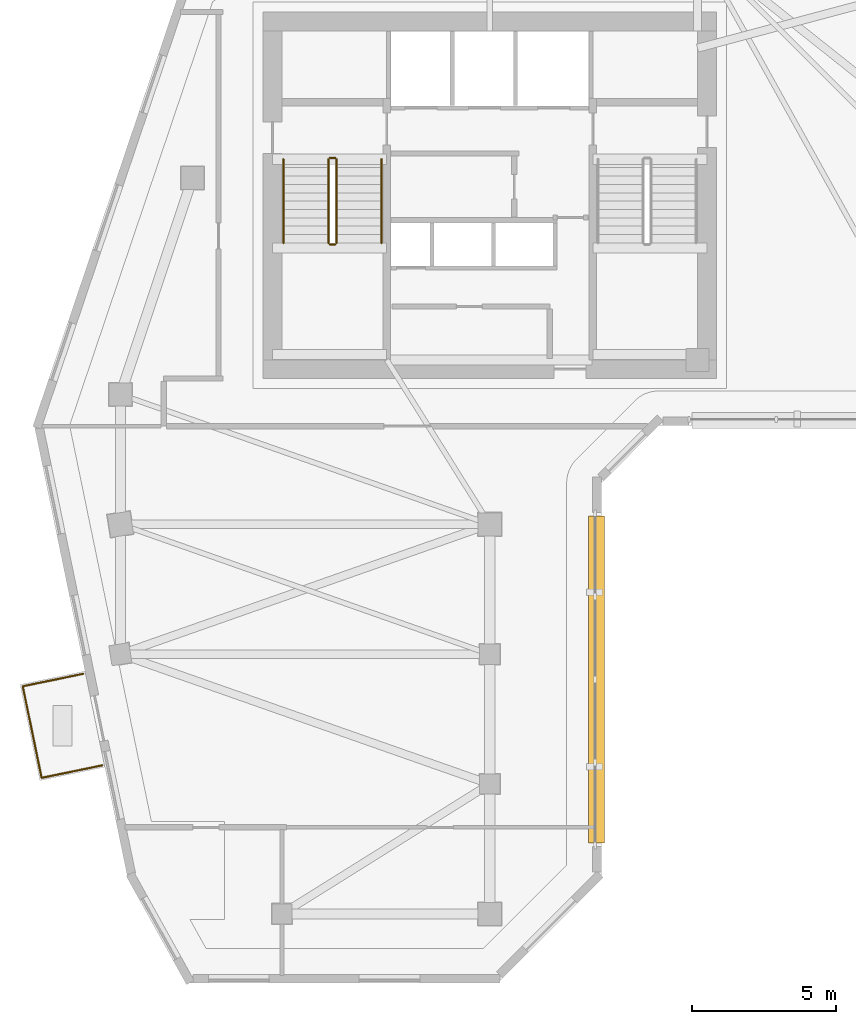
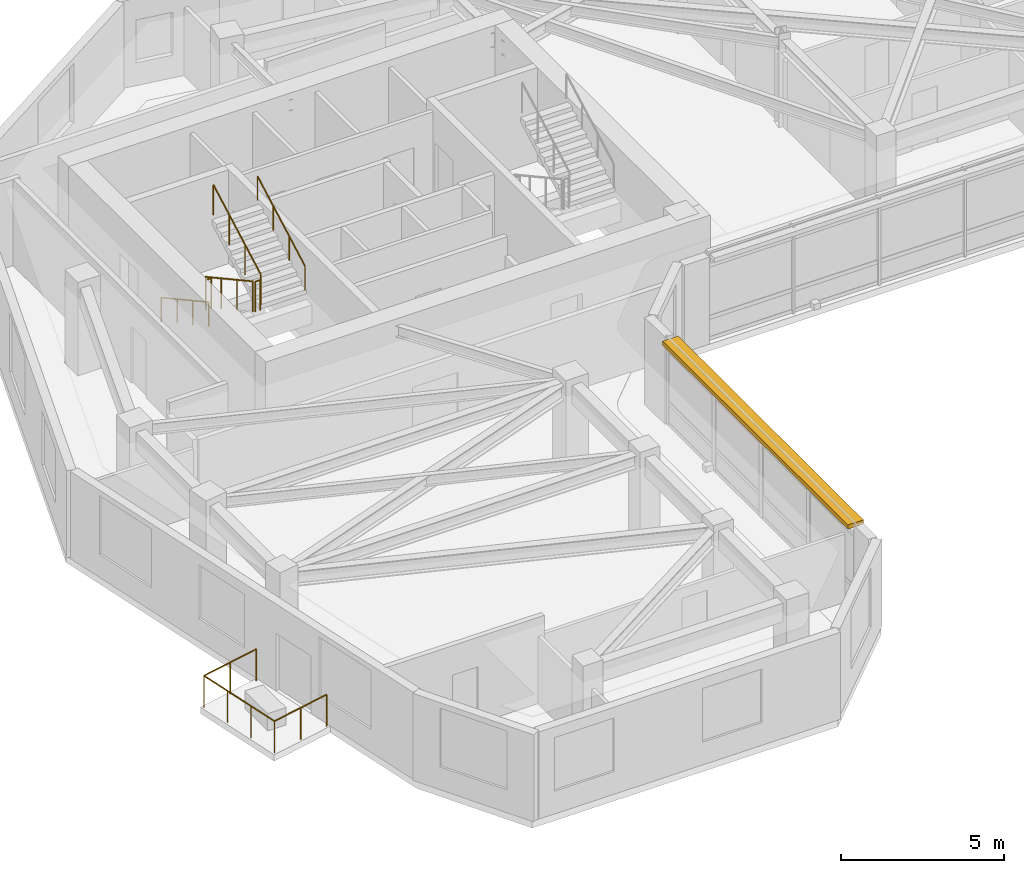
# One storey, part 8 of 10: 9 railings, 1 shading device.
"""IFC4 building model written with IfcOpenShell, lengths in metres."""

import ifcopenshell
import ifcopenshell.guid

model = None  # the IFC model being written
_history = None  # IfcOwnerHistory: only IFC2X3 demands one
_inside = {}  # id of a spatial element -> (the spatial element, [elements in it])
_under = {}  # id of a project, library or spatial element -> (it, [spatial elements below it])
_declared = {}  # id of a project -> (the project, [libraries it declares])
_typed = {}  # id of a type object -> (the type object, [elements of that type])
_made_of = {}  # id of a material, layer set ... -> (it, [elements and type objects made of it])


def new_model(schema):
    """Start an empty IFC model of exactly this schema.

    Asked for "IFC4X3", IfcOpenShell would pick the latest addendum, in which some entities
    have other attributes; the version numbers below select the first issue.
    IFC2X3 requires an IfcOwnerHistory on every rooted entity: one is made here for all.
    """
    global model, _history
    if schema == "IFC4X3":
        model = ifcopenshell.file(schema_version=(4, 3, 0, 0))
    else:
        model = ifcopenshell.file(schema=schema)
    _inside.clear()
    _under.clear()
    _declared.clear()
    _typed.clear()
    _made_of.clear()
    _history = None
    if model.schema == "IFC2X3":
        org = make("IfcOrganization", Name="unknown")
        user = make(
            "IfcPersonAndOrganization",
            ThePerson=make("IfcPerson", FamilyName="unknown"),
            TheOrganization=org,
        )
        app = make(
            "IfcApplication",
            ApplicationDeveloper=org,
            Version="unknown",
            ApplicationFullName="unknown",
            ApplicationIdentifier="unknown",
        )
        _history = make(
            "IfcOwnerHistory",
            OwningUser=user,
            OwningApplication=app,
            ChangeAction="ADDED",
            CreationDate=0,
        )
    return model


def make(cls, **values):
    """One entity of the class cls with the attributes given. An attribute that is None is left unset."""
    return model.create_entity(
        cls, **{name: value for name, value in values.items() if value is not None}
    )


def rooted(cls, **values):
    """An entity with a GlobalId (a new one), such as an element, a storey or a relation."""
    return make(cls, GlobalId=ifcopenshell.guid.new(), OwnerHistory=_history, **values)


def si_unit(unit_type, name, prefix=None):
    """IfcSIUnit, for example si_unit("LENGTHUNIT", "METRE", prefix="MILLI")."""
    return make("IfcSIUnit", UnitType=unit_type, Prefix=prefix, Name=name)


def assignment(units):
    """IfcUnitAssignment: the units of a project."""
    return None if units is None else make("IfcUnitAssignment", Units=units)


def point(xyz):
    """IfcCartesianPoint."""
    return None if xyz is None else make("IfcCartesianPoint", Coordinates=xyz)


def direction(xyz):
    """IfcDirection."""
    return None if xyz is None else make("IfcDirection", DirectionRatios=xyz)


def frame(location, z_axis=None, x_axis=None):
    """IfcAxis2Placement3D, a coordinate frame: its origin and axes. An axis left out is left unset."""
    return make(
        "IfcAxis2Placement3D",
        Location=point(location),
        Axis=direction(z_axis),
        RefDirection=direction(x_axis),
    )


def frame_2d(location, x_axis=None):
    """IfcAxis2Placement2D, a coordinate frame in the plane: its origin and x axis."""
    return make(
        "IfcAxis2Placement2D", Location=point(location), RefDirection=direction(x_axis)
    )


def origin():
    """The frame at (0, 0, 0) with its axes left unset."""
    return frame((0.0, 0.0, 0.0))


def origin_2d():
    """The frame at (0, 0) in the plane with its x axis left unset."""
    return frame_2d((0.0, 0.0))


def place(relative_to, where):
    """IfcLocalPlacement: puts the frame where relative to a parent placement (None: the world)."""
    return make(
        "IfcLocalPlacement", PlacementRelTo=relative_to, RelativePlacement=where
    )


def context(
    kind, dimensions, precision=None, world=None, true_north=None, identifier=None
):
    """IfcGeometricRepresentationContext, for example the 3D "Model" context."""
    return make(
        "IfcGeometricRepresentationContext",
        ContextIdentifier=identifier,
        ContextType=kind,
        CoordinateSpaceDimension=dimensions,
        Precision=precision,
        WorldCoordinateSystem=world,
        TrueNorth=true_north,
    )


def subcontext(parent, identifier, kind, view, scale=None):
    """IfcGeometricRepresentationSubContext, for example "Body" below "Model"."""
    return make(
        "IfcGeometricRepresentationSubContext",
        ContextIdentifier=identifier,
        ContextType=kind,
        ParentContext=parent,
        TargetScale=scale,
        TargetView=view,
    )


def project(units=None, contexts=None):
    """IfcProject with its units and contexts."""
    return rooted(
        "IfcProject",
        Name="project",
        RepresentationContexts=contexts,
        UnitsInContext=assignment(units),
    )


def spatial(cls, under=None, at=None, **own):
    """A site, building, storey or space (cls), placed at a placement, below another one or the project."""
    s = rooted(cls, ObjectPlacement=at, **own)
    if under is not None:
        _under.setdefault(under.id(), (under, []))[1].append(s)
    return s


def profile(cls, at=None, kind="AREA", **sizes):
    """A parametric profile (cls). Its sizes go by their IFC names, for example OverallWidth=200.0."""
    return make(cls, ProfileType=kind, Position=at, **sizes)


def rectangle(**sizes):
    """IfcRectangleProfileDef."""
    return profile("IfcRectangleProfileDef", **sizes)


def circle(**sizes):
    """IfcCircleProfileDef."""
    return profile("IfcCircleProfileDef", **sizes)


def extrude(swept, where, along, depth):
    """IfcExtrudedAreaSolid: the profile swept, set in the frame where, extruded along a direction by depth."""
    return make(
        "IfcExtrudedAreaSolid",
        SweptArea=swept,
        Position=where,
        ExtrudedDirection=direction(along),
        Depth=depth,
    )


def shape(context_of_items, identifier, shape_type, items):
    """IfcShapeRepresentation: the items that make up one representation, for example the "Body"."""
    return make(
        "IfcShapeRepresentation",
        ContextOfItems=context_of_items,
        RepresentationIdentifier=identifier,
        RepresentationType=shape_type,
        Items=items,
    )


def material(Name=None, Category=None):
    """IfcMaterial."""
    return make("IfcMaterial", Name=Name, Category=Category)


def made_of(thing, what):
    """Note that an element or type object is made of a material, layer set ...; save() writes the relation."""
    if what is not None:
        _made_of.setdefault(what.id(), (what, []))[1].append(thing)
    return thing


def type_object(cls, material=None, **own):
    """A type object (cls), such as IfcWallType, which elements share."""
    return made_of(rooted(cls, **own), material)


def element(
    cls,
    number,
    at=None,
    inside=None,
    cuts=None,
    type_object=None,
    material=None,
    context=None,
    identifier="Body",
    shape_type=None,
    held_by="IfcProductDefinitionShape",
    body=None,
    shapes=None,
    **own,
):
    """One element of the class cls, such as IfcWall. Its Tag is "e" and its number.

    at: its placement. inside: the storey or other place that contains it. cuts: it is an
    opening in that element (IfcRelVoidsElement). A single representation is given by context,
    identifier, shape_type and body (its items); several are given by shapes. held_by: the class
    of the entity that holds the representations. save() writes the other relations.
    """
    e = rooted(cls, Tag="e%d" % number, ObjectPlacement=at, **own)
    if body is not None:
        shapes = [shape(context, identifier, shape_type, body)]
    if shapes is not None:
        e.Representation = make(held_by, Representations=shapes)
    if inside is not None:
        _inside.setdefault(inside.id(), (inside, []))[1].append(e)
    if cuts is not None:
        rooted(
            "IfcRelVoidsElement", RelatingBuildingElement=cuts, RelatedOpeningElement=e
        )
    if type_object is not None:
        _typed.setdefault(type_object.id(), (type_object, []))[1].append(e)
    return made_of(e, material)


def aggregate(whole, parts):
    """IfcRelAggregates: a whole, such as a stair, and the parts it consists of."""
    return rooted("IfcRelAggregates", RelatingObject=whole, RelatedObjects=parts)


def save(model, path):
    """Write the relations noted so far, then the file.

    IfcRelAggregates (storeys below a building ...), IfcRelContainedInSpatialStructure (elements
    in a storey), IfcRelDefinesByType, IfcRelAssociatesMaterial and IfcRelDeclares: one each for
    every whole, place, type object, material and project.
    """
    for whole, parts in _under.values():
        aggregate(whole, parts)
    for where, things in _inside.values():
        rooted(
            "IfcRelContainedInSpatialStructure",
            RelatedElements=things,
            RelatingStructure=where,
        )
    for kind, things in _typed.values():
        rooted("IfcRelDefinesByType", RelatedObjects=things, RelatingType=kind)
    for what, things in _made_of.values():
        rooted("IfcRelAssociatesMaterial", RelatedObjects=things, RelatingMaterial=what)
    for by, libraries in _declared.values():
        rooted("IfcRelDeclares", RelatingContext=by, RelatedDefinitions=libraries)
    model.write(path)


model = new_model("IFC4")

# Units and contexts
model_context = context("Model", 3, precision=1e-05, world=origin(), true_north=direction((0.0, 1.0)))
body_context = subcontext(model_context, "Body", "Model", "MODEL_VIEW")
ifc_project = project(units=[si_unit("LENGTHUNIT", "METRE"), si_unit("AREAUNIT", "SQUARE_METRE"), si_unit("VOLUMEUNIT", "CUBIC_METRE"), si_unit("PLANEANGLEUNIT", "RADIAN"), si_unit("MASSUNIT", "GRAM", prefix="KILO")], contexts=[model_context])

# Site, building, storey
site_placement = place(None, origin())
site = spatial("IfcSite", under=ifc_project, at=site_placement, CompositionType="ELEMENT")
building_placement = place(site_placement, origin())
building = spatial("IfcBuilding", under=site, at=building_placement, Name="Calvemar Wedge Station Tower", CompositionType="ELEMENT")
storey_placement = place(building_placement, frame((0.0, 0.0, 204.39990234375)))
storey = spatial("IfcBuildingStorey", under=building, at=storey_placement, Name="L51", CompositionType="ELEMENT", Elevation=204.39990234375)

# Railings
ifc_material_1 = material(Name="Stainless steel AISI 316L", Category="steel")
railing_type_1 = type_object("IfcRailingType", Name="GRD-TERR-1200", PredefinedType="GUARDRAIL", material=ifc_material_1)
railing_1_placement = place(storey_placement, frame((10.366455078125, 20.147216796875, 0.0)))
element("IfcRailing", 1, at=railing_1_placement, inside=storey, type_object=railing_type_1, Name="Storey L51 Spiral Terrace Guard 2", PredefinedType="GUARDRAIL", context=body_context, shape_type="SweptSolid", body=[
    extrude(circle(Radius=0.02392578125, at=origin_2d()), frame((0.0, 0.0, 1.17578125), z_axis=(-0.979341536127, -0.202213144024, 0.0), x_axis=(0.202213144024, -0.979341536127, 0.0)), (0.0, 0.0, 1.0), 2.139404296875),
    extrude(circle(Radius=0.02099609375, at=origin_2d()), origin(), (0.0, 0.0, 1.0), 1.15185546875),
    extrude(circle(Radius=0.02099609375, at=origin_2d()), frame((-1.047607421875, -0.21630859375, 0.0)), (0.0, 0.0, 1.0), 1.15185546875),
    extrude(circle(Radius=0.02099609375, at=origin_2d()), frame((-2.09521484375, -0.4326171875, 0.0)), (0.0, 0.0, 1.0), 1.15185546875),
])
railing_2_placement = place(storey_placement, frame((8.271240234375, 19.714599609375, 0.0)))
element("IfcRailing", 2, at=railing_2_placement, inside=storey, type_object=railing_type_1, Name="Storey L51 Spiral Terrace Guard 3", PredefinedType="GUARDRAIL", context=body_context, shape_type="SweptSolid", body=[
    extrude(circle(Radius=0.02392578125, at=origin_2d()), frame((0.0, 0.0, 1.17578125), z_axis=(-0.202097264891, 0.97936545555, 0.0), x_axis=(-0.97936545555, -0.202097264891, 0.0)), (0.0, 0.0, 1.0), 3.239990234375),
    extrude(circle(Radius=0.02099609375, at=origin_2d()), origin(), (0.0, 0.0, 1.0), 1.15185546875),
    extrude(circle(Radius=0.02099609375, at=origin_2d()), frame((-0.21826171875, 1.0576171875, 0.0)), (0.0, 0.0, 1.0), 1.15185546875),
    extrude(circle(Radius=0.02099609375, at=origin_2d()), frame((-0.4365234375, 2.115478515625, 0.0)), (0.0, 0.0, 1.0), 1.15185546875),
    extrude(circle(Radius=0.02099609375, at=origin_2d()), frame((-0.65478515625, 3.173095703125, 0.0)), (0.0, 0.0, 1.0), 1.15185546875),
])
railing_3_placement = place(storey_placement, frame((7.616455078125, 22.8876953125, 0.0)))
element("IfcRailing", 3, at=railing_3_placement, inside=storey, type_object=railing_type_1, Name="Storey L51 Spiral Terrace Guard 4", PredefinedType="GUARDRAIL", context=body_context, shape_type="SweptSolid", body=[
    extrude(circle(Radius=0.02392578125, at=origin_2d()), frame((0.0, 0.0, 1.17578125), z_axis=(0.979323601906, 0.202299982079, 0.0), x_axis=(-0.202299982079, 0.979323601906, 0.0)), (0.0, 0.0, 1.0), 2.1396484375),
    extrude(circle(Radius=0.02099609375, at=origin_2d()), origin(), (0.0, 0.0, 1.0), 1.15185546875),
    extrude(circle(Radius=0.02099609375, at=origin_2d()), frame((1.0478515625, 0.21630859375, 0.0)), (0.0, 0.0, 1.0), 1.15185546875),
    extrude(circle(Radius=0.02099609375, at=origin_2d()), frame((2.095458984375, 0.432861328125, 0.0)), (0.0, 0.0, 1.0), 1.15185546875),
])
railing_type_2 = type_object("IfcRailingType", Name="RL-HANDRAIL-920", PredefinedType="HANDRAIL", material=ifc_material_1)
railing_4_placement = place(storey_placement, frame((16.64990234375, 41.14990234375, 0.1591796875)))
element("IfcRailing", 4, at=railing_4_placement, inside=storey, type_object=railing_type_2, Name="L51 ST-C1 stair handrail 1", PredefinedType="HANDRAIL", context=body_context, shape_type="SweptSolid", body=[
    extrude(circle(Radius=0.02392578125, at=origin_2d()), frame((0.0, 0.0, 0.89599609375), z_axis=(0.0, -0.876742130028, 0.480960744171), x_axis=(1.0, 0.0, 0.0)), (0.0, 0.0, 1.0), 3.3076171875),
    extrude(circle(Radius=0.02099609375, at=origin_2d()), origin(), (0.0, 0.0, 1.0), 0.871826171875),
    extrude(circle(Radius=0.02099609375, at=origin_2d()), frame((0.0, -0.966552734375, 0.5302734375)), (0.0, 0.0, 1.0), 0.871826171875),
    extrude(circle(Radius=0.02099609375, at=origin_2d()), frame((0.0, -1.933349609375, 1.060546875)), (0.0, 0.0, 1.0), 0.871826171875),
    extrude(circle(Radius=0.02099609375, at=origin_2d()), frame((0.0, -2.89990234375, 1.5908203125)), (0.0, 0.0, 1.0), 0.871826171875),
])
railing_5_placement = place(storey_placement, frame((20.050048828125, 38.25, 1.9091796875)))
element("IfcRailing", 5, at=railing_5_placement, inside=storey, type_object=railing_type_2, Name="L51 ST-C1 stair handrail 2", PredefinedType="HANDRAIL", context=body_context, shape_type="SweptSolid", body=[
    extrude(circle(Radius=0.02392578125, at=origin_2d()), frame((0.0, 0.0, 0.89599609375), z_axis=(0.0, 0.876742130028, 0.480960744171), x_axis=(-1.0, 0.0, 0.0)), (0.0, 0.0, 1.0), 3.3076171875),
    extrude(circle(Radius=0.02099609375, at=origin_2d()), origin(), (0.0, 0.0, 1.0), 0.871826171875),
    extrude(circle(Radius=0.02099609375, at=origin_2d()), frame((0.0, 0.966552734375, 0.5302734375)), (0.0, 0.0, 1.0), 0.871826171875),
    extrude(circle(Radius=0.02099609375, at=origin_2d()), frame((0.0, 1.933349609375, 1.060546875)), (0.0, 0.0, 1.0), 0.871826171875),
    extrude(circle(Radius=0.02099609375, at=origin_2d()), frame((0.0, 2.89990234375, 1.5908203125)), (0.0, 0.0, 1.0), 0.871826171875),
])
ifc_material_2 = material(Name="Painted steel guardrail ASTM A500 Grade C", Category="steel")
railing_type_3 = type_object("IfcRailingType", Name="RL-STAIR-GUARD-1150", PredefinedType="GUARDRAIL", material=ifc_material_2)
railing_6_placement = place(storey_placement, frame((18.2099609375, 41.14990234375, 0.1591796875)))
element("IfcRailing", 6, at=railing_6_placement, inside=storey, type_object=railing_type_3, Name="L51 ST-C1 stair guard 1", PredefinedType="GUARDRAIL", context=body_context, shape_type="SweptSolid", body=[
    extrude(circle(Radius=0.02392578125, at=origin_2d()), frame((0.0, 0.0, 1.1259765625), z_axis=(0.0, -0.876742130028, 0.480960744171), x_axis=(1.0, 0.0, 0.0)), (0.0, 0.0, 1.0), 3.3076171875),
    extrude(circle(Radius=0.02099609375, at=origin_2d()), origin(), (0.0, 0.0, 1.0), 1.101806640625),
    extrude(circle(Radius=0.02099609375, at=origin_2d()), frame((0.0, -0.966552734375, 0.5302734375)), (0.0, 0.0, 1.0), 1.101806640625),
    extrude(circle(Radius=0.02099609375, at=origin_2d()), frame((0.0, -1.933349609375, 1.060546875)), (0.0, 0.0, 1.0), 1.101806640625),
    extrude(circle(Radius=0.02099609375, at=origin_2d()), frame((0.0, -2.89990234375, 1.5908203125)), (0.0, 0.0, 1.0), 1.101806640625),
])
railing_7_placement = place(storey_placement, frame((18.260009765625, 38.199951171875, 1.75)))
element("IfcRailing", 7, at=railing_7_placement, inside=storey, type_object=railing_type_3, Name="L51 ST-C1 stair guard 2", PredefinedType="GUARDRAIL", context=body_context, shape_type="SweptSolid", body=[
    extrude(circle(Radius=0.02392578125, at=origin_2d()), frame((0.0, 0.0, 1.1259765625), z_axis=(1.0, 0.0, 0.0), x_axis=(0.0, 1.0, 0.0)), (0.0, 0.0, 1.0), 0.179931640625),
    extrude(circle(Radius=0.02099609375, at=origin_2d()), origin(), (0.0, 0.0, 1.0), 1.101806640625),
    extrude(circle(Radius=0.02099609375, at=origin_2d()), frame((0.179931640625, 0.0, 0.0)), (0.0, 0.0, 1.0), 1.101806640625),
])
railing_8_placement = place(storey_placement, frame((18.489990234375, 38.25, 1.9091796875)))
element("IfcRailing", 8, at=railing_8_placement, inside=storey, type_object=railing_type_3, Name="L51 ST-C1 stair guard 3", PredefinedType="GUARDRAIL", context=body_context, shape_type="SweptSolid", body=[
    extrude(circle(Radius=0.02392578125, at=origin_2d()), frame((0.0, 0.0, 1.1259765625), z_axis=(0.0, 0.876742130028, 0.480960744171), x_axis=(-1.0, 0.0, 0.0)), (0.0, 0.0, 1.0), 3.3076171875),
    extrude(circle(Radius=0.02099609375, at=origin_2d()), origin(), (0.0, 0.0, 1.0), 1.101806640625),
    extrude(circle(Radius=0.02099609375, at=origin_2d()), frame((0.0, 0.966552734375, 0.5302734375)), (0.0, 0.0, 1.0), 1.101806640625),
    extrude(circle(Radius=0.02099609375, at=origin_2d()), frame((0.0, 1.933349609375, 1.060546875)), (0.0, 0.0, 1.0), 1.101806640625),
    extrude(circle(Radius=0.02099609375, at=origin_2d()), frame((0.0, 2.89990234375, 1.5908203125)), (0.0, 0.0, 1.0), 1.101806640625),
])
railing_9_placement = place(storey_placement, frame((18.260009765625, 41.199951171875, 0.0)))
element("IfcRailing", 9, at=railing_9_placement, inside=storey, type_object=railing_type_3, Name="L51 ST-C1 stair guard 4", PredefinedType="GUARDRAIL", context=body_context, shape_type="SweptSolid", body=[
    extrude(circle(Radius=0.02392578125, at=origin_2d()), frame((0.0, 0.0, 1.1259765625), z_axis=(1.0, 0.0, 0.0), x_axis=(0.0, 1.0, 0.0)), (0.0, 0.0, 1.0), 0.179931640625),
    extrude(circle(Radius=0.02099609375, at=origin_2d()), origin(), (0.0, 0.0, 1.0), 1.101806640625),
    extrude(circle(Radius=0.02099609375, at=origin_2d()), frame((0.179931640625, 0.0, 0.0)), (0.0, 0.0, 1.0), 1.101806640625),
])

# Shading device
ifc_material_3 = material(Name="Precast concrete C45", Category="concrete")
shading_device_type = type_object("IfcShadingDeviceType", Name="SHD-EYEBROW-1", PredefinedType="SHUTTER", material=ifc_material_3)
shading_device_placement = place(storey_placement, frame((27.493896484375, 17.462158203125, 3.070068359375), z_axis=(0.0, 0.0, 1.0), x_axis=(0.0, 1.0, 0.0)))
element("IfcShadingDevice", 10, at=shading_device_placement, inside=storey, type_object=shading_device_type, Name="Storey L51 Bronze GFRC Solar Eyebrow 4", PredefinedType="SHUTTER", context=body_context, shape_type="SweptSolid", body=[
    extrude(rectangle(XDim=11.323974609375, YDim=0.550048828125, at=frame_2d((5.662109375, 0.0))), origin(), (0.0, 0.0, 1.0), 0.159912109375),
])

save(model, "model.ifc")
